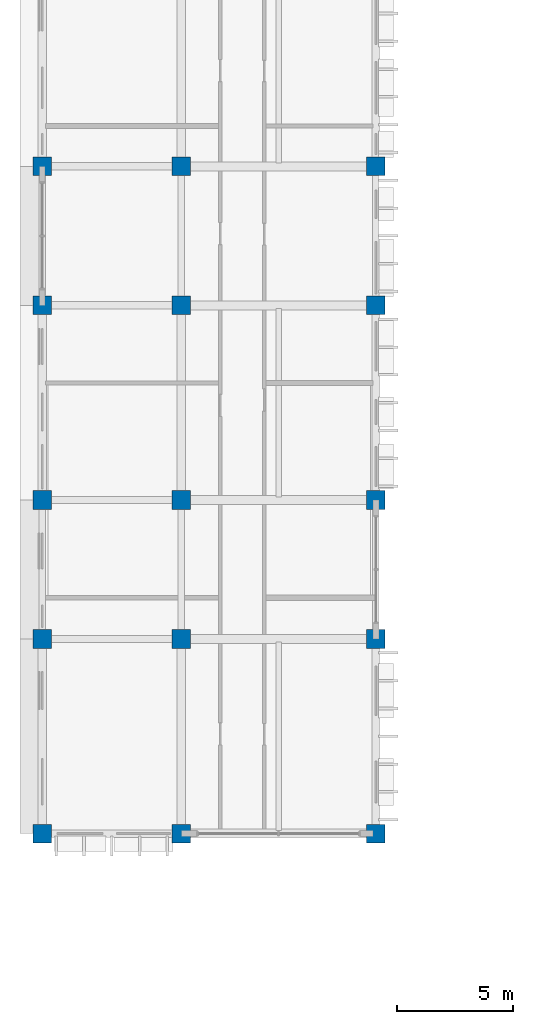
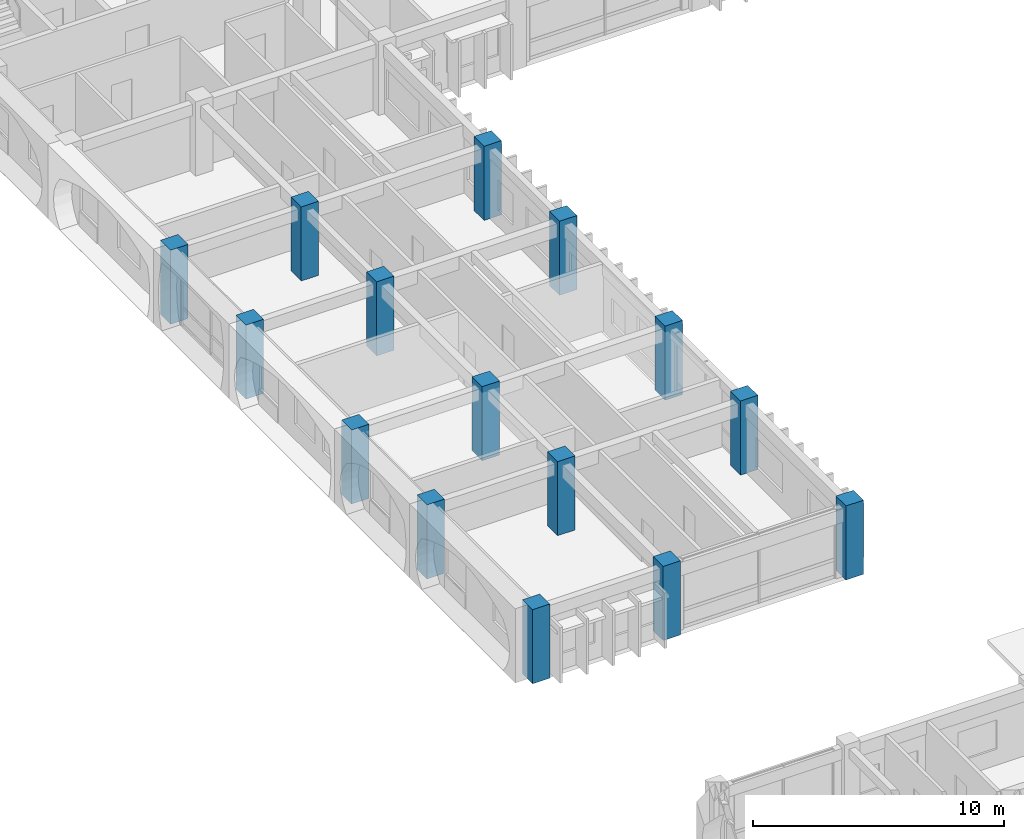
# One storey, part 6 of 88: 15 columns.
"""IFC4 building model written with IfcOpenShell, lengths in metres."""

from ifc_helpers import new_model, si_unit, direction, frame, origin, origin_2d, place, context, subcontext, project, spatial, rectangle, extrude, material, material_profile, profile_set, type_object, element, save


model = new_model("IFC4")

# Units and contexts
model_context = context("Model", 3, precision=1e-05, world=origin(), true_north=direction((0.0, 1.0)))
body_context = subcontext(model_context, "Body", "Model", "MODEL_VIEW")
ifc_project = project(units=[si_unit("LENGTHUNIT", "METRE"), si_unit("AREAUNIT", "SQUARE_METRE"), si_unit("VOLUMEUNIT", "CUBIC_METRE"), si_unit("PLANEANGLEUNIT", "RADIAN"), si_unit("MASSUNIT", "GRAM", prefix="KILO"), si_unit("THERMODYNAMICTEMPERATUREUNIT", "KELVIN")], contexts=[model_context])

# Site, building, storey
site_placement = place(None, origin())
site = spatial("IfcSite", under=ifc_project, at=site_placement, CompositionType="ELEMENT")
building_placement = place(site_placement, origin())
building = spatial("IfcBuilding", under=site, at=building_placement, Name="Thalorik Housing Commons", CompositionType="ELEMENT")
storey_placement = place(building_placement, frame((0.0, 0.0, 4.5)))
storey = spatial("IfcBuildingStorey", under=building, at=storey_placement, Name="L01", CompositionType="ELEMENT", Elevation=4.5)

# Columns
ifc_material = material(Name="Precast concrete C40/50", Category="concrete")
ifc_material_profile = material_profile(ifc_material, rectangle(XDim=0.800048828125, YDim=0.800048828125, at=origin_2d()), Name="PC 800x800", Category="concrete")
ifc_profile_set = profile_set([ifc_material_profile], Name="Precast concrete C40/50")
column_type = type_object("IfcColumnType", Name="STR-COL-PC800", PredefinedType="COLUMN", material=ifc_profile_set)
for number, where, z_axis, x_axis, name in (
    (1, (8.39990234375, 72.0, 0.0), (0.0, 0.0, 1.0), (1.0, 0.0, 0.0), "L01 Column C-800"),
    (2, (8.39990234375, 80.39990234375, 0.0), (0.0, 0.0, 1.0), (1.0, 0.0, 0.0), "L01 Column C-800"),
    (3, (8.39990234375, 86.39990234375, 0.0), (0.0, 0.0, 1.0), (1.0, 0.0, 0.0), "L01 Column C-800"),
    (4, (8.39990234375, 94.800048828125, 0.0), (0.0, 0.0, 1.0), (1.0, 0.0, 0.0), "L01 Column C-800"),
    (5, (8.39990234375, 100.800048828125, 0.0), (0.0, 0.0, 1.0), (1.0, 0.0, 0.0), "L01 Column C-800"),
    (6, (14.39990234375, 72.0, 0.0), (0.0, 0.0, 1.0), (1.0, 0.0, 0.0), "L01 Column C-800"),
    (7, (14.39990234375, 80.39990234375, 0.0), (0.0, 0.0, 1.0), (1.0, 0.0, 0.0), "L01 Column C-800"),
    (8, (14.39990234375, 86.39990234375, 0.0), (0.0, 0.0, 1.0), (1.0, 0.0, 0.0), "L01 Column C-800"),
    (9, (14.39990234375, 94.800048828125, 0.0), (0.0, 0.0, 1.0), (1.0, 0.0, 0.0), "L01 Column C-800"),
    (10, (14.39990234375, 100.800048828125, 0.0), (0.0, 0.0, 1.0), (1.0, 0.0, 0.0), "L01 Column C-800"),
    (11, (22.800048828125, 72.0, 0.0), (0.0, 0.0, 1.0), (1.0, 0.0, 0.0), "L01 Column C-800"),
    (12, (22.800048828125, 80.39990234375, 0.0), (0.0, 0.0, 1.0), (1.0, 0.0, 0.0), "L01 Column C-800"),
    (13, (22.800048828125, 86.39990234375, 0.0), (0.0, 0.0, 1.0), (1.0, 0.0, 0.0), "L01 Column C-800"),
    (14, (22.800048828125, 94.800048828125, 0.0), (0.0, 0.0, 1.0), (1.0, 0.0, 0.0), "L01 Column C-800"),
    (15, (22.800048828125, 100.800048828125, 0.0), (0.0, 0.0, 1.0), (1.0, 0.0, 0.0), "L01 Column C-800"),
):
    element("IfcColumn", number, at=place(storey_placement, frame(where, z_axis=z_axis, x_axis=x_axis)), inside=storey, type_object=column_type, Name=name, PredefinedType="COLUMN", context=body_context, shape_type="SweptSolid", body=[
        extrude(rectangle(XDim=0.800048828125, YDim=0.800048828125, at=origin_2d()), origin(), (0.0, 0.0, 1.0), 3.60009765625),
    ])

save(model, "model.ifc")
